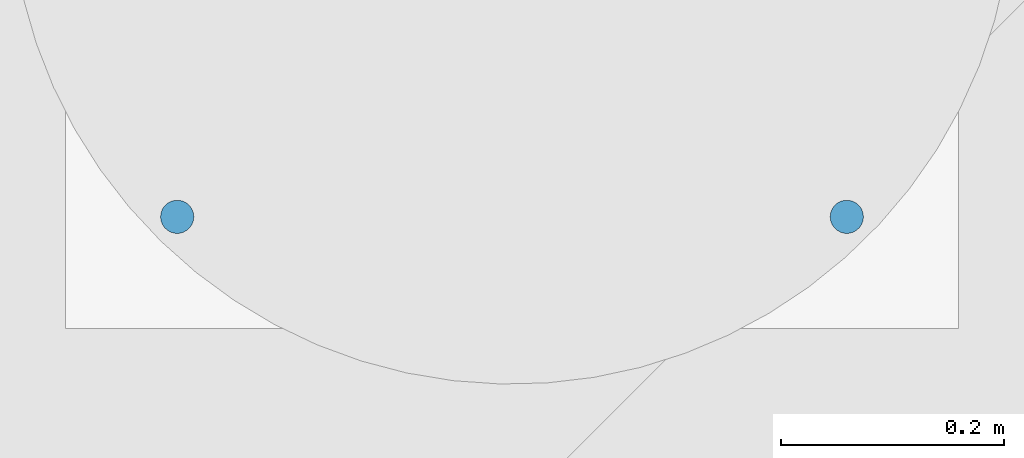
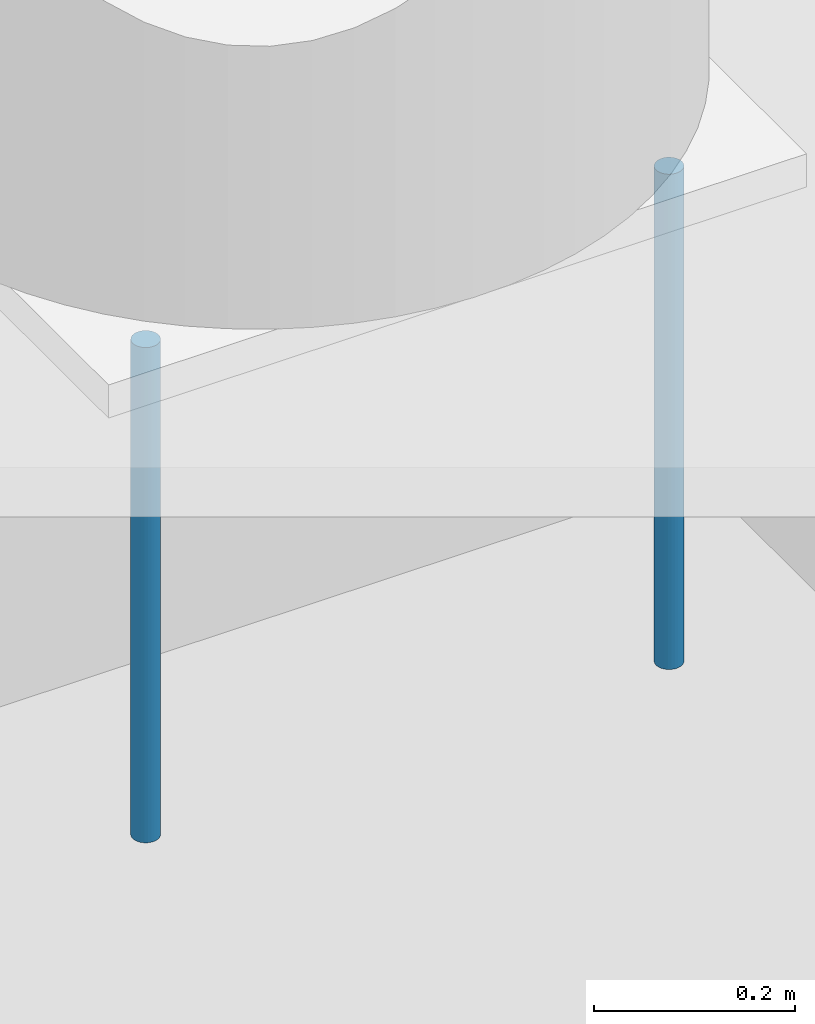
# One storey, part 14 of 28: 2 discrete accessories.
"""IFC4 building model written with IfcOpenShell, lengths in metres."""

from ifc_helpers import new_model, si_unit, direction, frame, origin, origin_2d, place, context, subcontext, project, spatial, circle, extrude, element, save


model = new_model("IFC4")

# Units and contexts
model_context = context("Model", 3, precision=1e-05, world=origin(), true_north=direction((0.0, 1.0)))
body_context = subcontext(model_context, "Body", "Model", "MODEL_VIEW")
ifc_project = project(units=[si_unit("LENGTHUNIT", "METRE"), si_unit("AREAUNIT", "SQUARE_METRE"), si_unit("VOLUMEUNIT", "CUBIC_METRE"), si_unit("PLANEANGLEUNIT", "RADIAN"), si_unit("MASSUNIT", "GRAM", prefix="KILO")], contexts=[model_context])

# Site, building, storey
site_placement = place(None, origin())
site = spatial("IfcSite", under=ifc_project, at=site_placement, CompositionType="ELEMENT")
building_placement = place(site_placement, origin())
building = spatial("IfcBuilding", under=site, at=building_placement, Name="Tabaq Tower and Sports Hall", CompositionType="ELEMENT")
storey_placement = place(building_placement, frame((0.0, 0.0, 233.5)))
storey = spatial("IfcBuildingStorey", under=building, at=storey_placement, Name="L59", CompositionType="ELEMENT", Elevation=233.5)

# Discrete accessories
for number, where, z_axis, x_axis, name in (
    (1, (18.60009765625, 7.800048828125, 1.60009765625), (0.0, 0.0, -1.0), (1.0, 0.0, 0.0), "Wind Turbine 2 Anchor Bolt 1"),
    (2, (19.199951171875, 7.800048828125, 1.60009765625), (0.0, 0.0, -1.0), (1.0, 0.0, 0.0), "Wind Turbine 2 Anchor Bolt 2"),
):
    element("IfcDiscreteAccessory", number, at=place(storey_placement, frame(where, z_axis=z_axis, x_axis=x_axis)), inside=storey, Name=name, PredefinedType="NOTDEFINED", context=body_context, shape_type="SweptSolid", body=[
        extrude(circle(Radius=0.014892578125, at=origin_2d()), origin(), (0.0, 0.0, 1.0), 0.60009765625),
    ])

save(model, "model.ifc")
